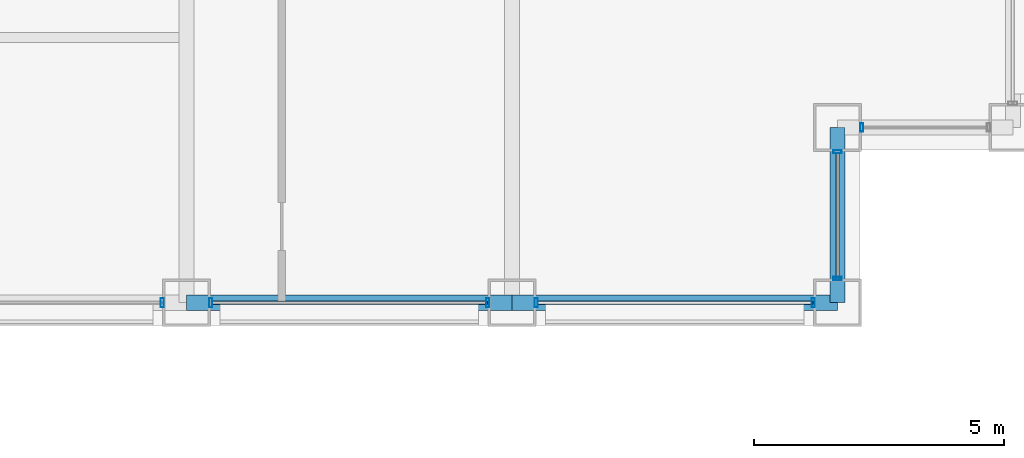
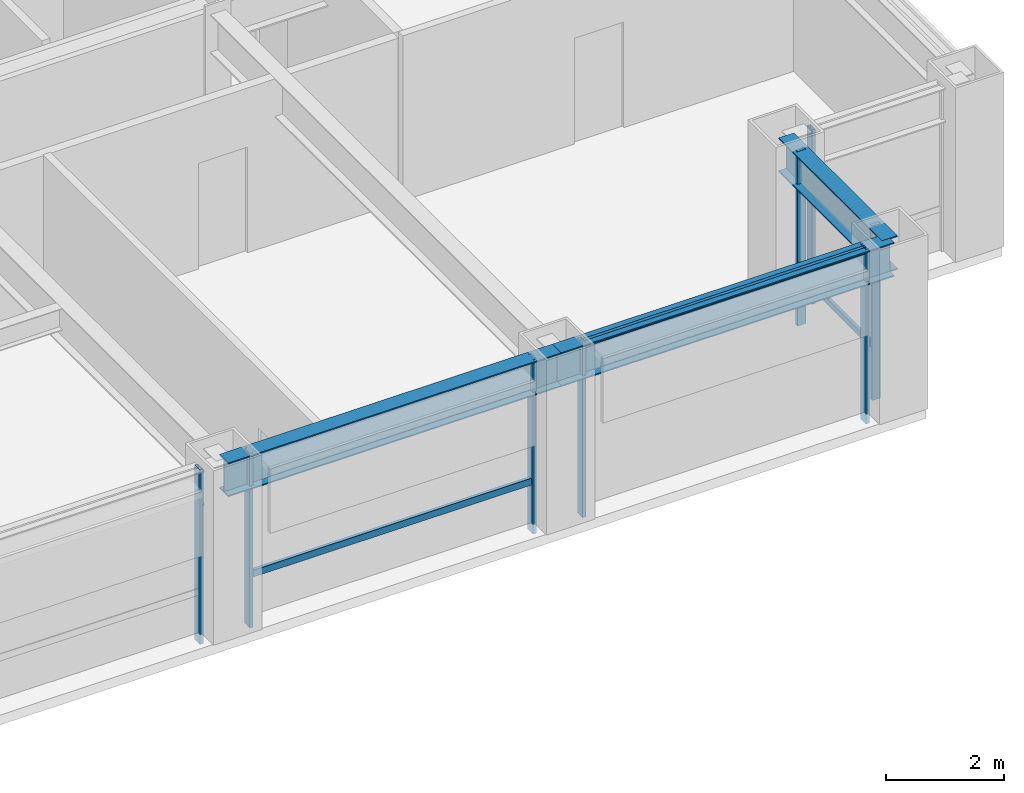
# One storey, part 10 of 31: 11 members, 3 beams, 5 elements without a shape of their own.
"""IFC4 building model written with IfcOpenShell, lengths in metres."""

from ifc_helpers import new_model, si_unit, direction, frame, origin, origin_2d, place, context, subcontext, project, spatial, hollow_rectangle, i_section, extrude, material, layer, layer_set, material_profile, profile_set, type_object, element, aggregate, save


model = new_model("IFC4")

# Units and contexts
model_context = context("Model", 3, precision=1e-05, world=origin(), true_north=direction((0.0, 1.0)))
body_context = subcontext(model_context, "Body", "Model", "MODEL_VIEW")
ifc_project = project(units=[si_unit("LENGTHUNIT", "METRE"), si_unit("AREAUNIT", "SQUARE_METRE"), si_unit("VOLUMEUNIT", "CUBIC_METRE"), si_unit("PLANEANGLEUNIT", "RADIAN"), si_unit("MASSUNIT", "GRAM", prefix="KILO")], contexts=[model_context])

# Site, building, storey
site_placement = place(None, origin())
site = spatial("IfcSite", under=ifc_project, at=site_placement, CompositionType="ELEMENT")
building_placement = place(site_placement, origin())
building = spatial("IfcBuilding", under=site, at=building_placement, Name="Brelmoor Portico Tower", CompositionType="ELEMENT")
storey_placement = place(building_placement, frame((0.0, 0.0, 27.60009765625)))
storey = spatial("IfcBuildingStorey", under=building, at=storey_placement, Name="L06", CompositionType="ELEMENT", Elevation=27.60009765625)

# Beams
ifc_material_1 = material(Name="Steel Q355B", Category="steel")
ifc_material_profile_1 = material_profile(ifc_material_1, i_section(OverallWidth=0.300048828125, OverallDepth=0.699951171875, WebThickness=0.012939453125, FlangeThickness=0.02392578125, at=origin_2d()), Name="HN 700x300x13x24")
ifc_profile_set_1 = profile_set([ifc_material_profile_1], Name="Steel Q355B")
beam_type = type_object("IfcBeamType", Name="BM-SP-700", PredefinedType="SPANDREL", material=ifc_profile_set_1)
for number, where, z_axis, x_axis, name in (
    (1, (8.050048828125, -21.550048828125, 3.0498046875), (1.0, 0.0, 0.0), (0.0, 1.0, 0.0), "L06 Perimeter Spandrel Beam SP-04"),
    (2, (14.550048828125, -21.550048828125, 3.0498046875), (1.0, 0.0, 0.0), (0.0, 1.0, 0.0), "L06 Perimeter Spandrel Beam SP-05"),
):
    element("IfcBeam", number, at=place(storey_placement, frame(where, z_axis=z_axis, x_axis=x_axis)), inside=storey, type_object=beam_type, Name=name, PredefinedType="SPANDREL", context=body_context, shape_type="SweptSolid", body=[
        extrude(i_section(OverallWidth=0.300048828125, OverallDepth=0.699951171875, WebThickness=0.012939453125, FlangeThickness=0.02392578125, at=origin_2d()), origin(), (0.0, 0.0, 1.0), 6.5),
    ])
beam_placement = place(storey_placement, frame((21.050048828125, -21.550048828125, 3.0498046875), z_axis=(0.0, 1.0, 0.0), x_axis=(-1.0, 0.0, 0.0)))
element("IfcBeam", 3, at=beam_placement, inside=storey, type_object=beam_type, Name="L06 Perimeter Spandrel Beam SP-20", PredefinedType="SPANDREL", context=body_context, shape_type="SweptSolid", body=[
    extrude(i_section(OverallWidth=0.300048828125, OverallDepth=0.699951171875, WebThickness=0.012939453125, FlangeThickness=0.02392578125, at=origin_2d()), origin(), (0.0, 0.0, 1.0), 3.5),
])

# Curtain wall, member
ifc_material_2 = material(Name="Anodised Aluminium Alloy 6063-T6", Category="aluminium")
ifc_layer_1 = layer(ifc_material_2, 0.179931640625)
ifc_layer_set_1 = layer_set([ifc_layer_1], Name="Anodised Aluminium Alloy 6063-T6")
curtain_wall_type_1 = type_object("IfcCurtainWallType", Name="CW-NOTCH-CHAMFER", PredefinedType="NOTDEFINED", material=ifc_layer_set_1)
curtain_wall_1_placement = place(storey_placement, origin())
curtain_wall_1 = element("IfcCurtainWall", 4, at=curtain_wall_1_placement, inside=storey, type_object=curtain_wall_type_1, Name="L06 Curtain Wall CWN-L06-SEH", PredefinedType="NOTDEFINED")
ifc_material_profile_2 = material_profile(ifc_material_2, hollow_rectangle(XDim=0.06494140625, YDim=0.1650390625, WallThickness=0.00390625, at=origin_2d()), Name="ALU MULLION 65x165")
ifc_profile_set_2 = profile_set([ifc_material_profile_2], Name="Anodised Aluminium Alloy 6063-T6")
member_type_1 = type_object("IfcMemberType", Name="MB-CW-MULL-165", PredefinedType="MULLION", material=ifc_profile_set_2)
member_1_placement = place(storey_placement, frame((21.534912109375, -18.050048828125, -0.2001953125), z_axis=(0.0, 0.0, 1.0), x_axis=(1.0, 0.0, 0.0)))
member_1 = element("IfcMember", 5, at=member_1_placement, type_object=member_type_1, Name="CWN-L06-SEH Mullion 00", PredefinedType="MULLION", context=body_context, shape_type="SweptSolid", body=[
    extrude(hollow_rectangle(XDim=0.06494140625, YDim=0.1650390625, WallThickness=0.00390625, at=origin_2d()), origin(), (0.0, 0.0, 1.0), 3.60009765625),
])
aggregate(curtain_wall_1, [member_1])

# Curtain wall, members
curtain_wall_2_placement = place(storey_placement, origin())
curtain_wall_2 = element("IfcCurtainWall", 6, at=curtain_wall_2_placement, inside=storey, type_object=curtain_wall_type_1, Name="L06 Curtain Wall CWN-L06-SEV", PredefinedType="NOTDEFINED")
member_2_placement = place(storey_placement, frame((21.050048828125, -21.06494140625, -0.2001953125), z_axis=(0.0, 0.0, 1.0), x_axis=(0.0, 1.0, 0.0)))
member_2 = element("IfcMember", 7, at=member_2_placement, type_object=member_type_1, Name="CWN-L06-SEV Mullion 00", PredefinedType="MULLION", context=body_context, shape_type="SweptSolid", body=[
    extrude(hollow_rectangle(XDim=0.06494140625, YDim=0.1650390625, WallThickness=0.00390625, at=origin_2d()), origin(), (0.0, 0.0, 1.0), 3.60009765625),
])
member_3_placement = place(storey_placement, frame((21.050048828125, -18.534912109375, -0.2001953125), z_axis=(0.0, 0.0, 1.0), x_axis=(0.0, 1.0, 0.0)))
member_3 = element("IfcMember", 8, at=member_3_placement, type_object=member_type_1, Name="CWN-L06-SEV Mullion 01", PredefinedType="MULLION", context=body_context, shape_type="SweptSolid", body=[
    extrude(hollow_rectangle(XDim=0.06494140625, YDim=0.1650390625, WallThickness=0.00390625, at=origin_2d()), origin(), (0.0, 0.0, 1.0), 3.60009765625),
])

# Curtain wall, member
ifc_layer_2 = layer(ifc_material_2, 0.179931640625)
ifc_layer_set_2 = layer_set([ifc_layer_2], Name="Anodised Aluminium Alloy 6063-T6")
curtain_wall_type_2 = type_object("IfcCurtainWallType", Name="CW-TOWER-Z1", PredefinedType="NOTDEFINED", material=ifc_layer_set_2)
curtain_wall_3_placement = place(storey_placement, origin())
curtain_wall_3 = element("IfcCurtainWall", 9, at=curtain_wall_3_placement, inside=storey, type_object=curtain_wall_type_2, Name="L06 Curtain Wall CW-L06-1R-1", PredefinedType="NOTDEFINED")
ifc_material_profile_3 = material_profile(ifc_material_2, hollow_rectangle(XDim=0.06494140625, YDim=0.179931640625, WallThickness=0.00390625, at=origin_2d()), Name="ALU MULLION 65x180")
ifc_profile_set_3 = profile_set([ifc_material_profile_3], Name="Anodised Aluminium Alloy 6063-T6")
member_type_2 = type_object("IfcMemberType", Name="MB-CW-MULL-180", PredefinedType="MULLION", material=ifc_profile_set_3)
member_4_placement = place(storey_placement, frame((7.56494140625, -21.550048828125, -0.2001953125), z_axis=(0.0, 0.0, 1.0), x_axis=(1.0, 0.0, 0.0)))
member_4 = element("IfcMember", 10, at=member_4_placement, type_object=member_type_2, Name="CW-L06-1R-1 Mullion 01", PredefinedType="MULLION", context=body_context, shape_type="SweptSolid", body=[
    extrude(hollow_rectangle(XDim=0.06494140625, YDim=0.179931640625, WallThickness=0.00390625, at=origin_2d()), origin(), (0.0, 0.0, 1.0), 3.60009765625),
])
aggregate(curtain_wall_3, [member_4])

# Curtain wall, members
curtain_wall_4_placement = place(storey_placement, origin())
curtain_wall_4 = element("IfcCurtainWall", 11, at=curtain_wall_4_placement, inside=storey, type_object=curtain_wall_type_2, Name="L06 Curtain Wall CW-L06-1R-2", PredefinedType="NOTDEFINED")
member_5_placement = place(storey_placement, frame((8.534912109375, -21.550048828125, -0.2001953125), z_axis=(0.0, 0.0, 1.0), x_axis=(1.0, 0.0, 0.0)))
member_5 = element("IfcMember", 12, at=member_5_placement, type_object=member_type_2, Name="CW-L06-1R-2 Mullion 00", PredefinedType="MULLION", context=body_context, shape_type="SweptSolid", body=[
    extrude(hollow_rectangle(XDim=0.06494140625, YDim=0.179931640625, WallThickness=0.00390625, at=origin_2d()), origin(), (0.0, 0.0, 1.0), 3.60009765625),
])
member_6_placement = place(storey_placement, frame((14.06494140625, -21.550048828125, -0.2001953125), z_axis=(0.0, 0.0, 1.0), x_axis=(1.0, 0.0, 0.0)))
member_6 = element("IfcMember", 13, at=member_6_placement, type_object=member_type_2, Name="CW-L06-1R-2 Mullion 01", PredefinedType="MULLION", context=body_context, shape_type="SweptSolid", body=[
    extrude(hollow_rectangle(XDim=0.06494140625, YDim=0.179931640625, WallThickness=0.00390625, at=origin_2d()), origin(), (0.0, 0.0, 1.0), 3.60009765625),
])

ifc_layer_3 = layer(ifc_material_2, 0.179931640625)
ifc_layer_set_3 = layer_set([ifc_layer_3], Name="Anodised Aluminium Alloy 6063-T6")
curtain_wall_type_3 = type_object("IfcCurtainWallType", Name="CW-TOWER-Z1-XB", PredefinedType="NOTDEFINED", material=ifc_layer_set_3)
curtain_wall_5_placement = place(storey_placement, origin())
curtain_wall_5 = element("IfcCurtainWall", 14, at=curtain_wall_5_placement, inside=storey, type_object=curtain_wall_type_3, Name="L06 Curtain Wall CW-L06-1R-3", PredefinedType="NOTDEFINED")
member_7_placement = place(storey_placement, frame((15.034912109375, -21.550048828125, -0.2001953125), z_axis=(0.0, 0.0, 1.0), x_axis=(1.0, 0.0, 0.0)))
member_7 = element("IfcMember", 15, at=member_7_placement, type_object=member_type_2, Name="CW-L06-1R-3 Mullion 00", PredefinedType="MULLION", context=body_context, shape_type="SweptSolid", body=[
    extrude(hollow_rectangle(XDim=0.06494140625, YDim=0.179931640625, WallThickness=0.00390625, at=origin_2d()), origin(), (0.0, 0.0, 1.0), 3.60009765625),
])
member_8_placement = place(storey_placement, frame((20.56494140625, -21.550048828125, -0.2001953125), z_axis=(0.0, 0.0, 1.0), x_axis=(1.0, 0.0, 0.0)))
member_8 = element("IfcMember", 16, at=member_8_placement, type_object=member_type_2, Name="CW-L06-1R-3 Mullion 01", PredefinedType="MULLION", context=body_context, shape_type="SweptSolid", body=[
    extrude(hollow_rectangle(XDim=0.06494140625, YDim=0.179931640625, WallThickness=0.00390625, at=origin_2d()), origin(), (0.0, 0.0, 1.0), 3.60009765625),
])

# Member
ifc_material_profile_4 = material_profile(ifc_material_2, hollow_rectangle(XDim=0.06005859375, YDim=0.125, WallThickness=0.00341796875, at=origin_2d()), Name="ALU TRANSOM 60x125")
ifc_profile_set_4 = profile_set([ifc_material_profile_4], Name="Anodised Aluminium Alloy 6063-T6")
member_type_3 = type_object("IfcMemberType", Name="MB-CW-TRAN-125", PredefinedType="USERDEFINED", material=ifc_profile_set_4)
member_9_placement = place(storey_placement, frame((21.050048828125, -21.06494140625, 0.849853515625), z_axis=(0.0, 1.0, 0.0), x_axis=(-1.0, 0.0, 0.0)))
member_9 = element("IfcMember", 17, at=member_9_placement, type_object=member_type_3, Name="CWN-L06-SEV Transom 1-00", ObjectType="TRANSOM", PredefinedType="USERDEFINED", context=body_context, shape_type="SweptSolid", body=[
    extrude(hollow_rectangle(XDim=0.06005859375, YDim=0.125, WallThickness=0.00341796875, at=origin_2d()), origin(), (0.0, 0.0, 1.0), 2.530029296875),
])

aggregate(curtain_wall_2, [member_2, member_3, member_9])

ifc_material_profile_5 = material_profile(ifc_material_2, hollow_rectangle(XDim=0.06494140625, YDim=0.139892578125, WallThickness=0.00390625, at=origin_2d()), Name="ALU TRANSOM 65x140")
ifc_profile_set_5 = profile_set([ifc_material_profile_5], Name="Anodised Aluminium Alloy 6063-T6")
member_type_4 = type_object("IfcMemberType", Name="MB-CW-TRAN-140", PredefinedType="USERDEFINED", material=ifc_profile_set_5)
member_10_placement = place(storey_placement, frame((8.534912109375, -21.550048828125, 0.849853515625), z_axis=(1.0, 0.0, 0.0), x_axis=(0.0, 1.0, 0.0)))
member_10 = element("IfcMember", 18, at=member_10_placement, type_object=member_type_4, Name="CW-L06-1R-2 Transom 1-00", ObjectType="TRANSOM", PredefinedType="USERDEFINED", context=body_context, shape_type="SweptSolid", body=[
    extrude(hollow_rectangle(XDim=0.06494140625, YDim=0.139892578125, WallThickness=0.00390625, at=origin_2d()), origin(), (0.0, 0.0, 1.0), 5.530029296875),
])

aggregate(curtain_wall_4, [member_5, member_6, member_10])

member_11_placement = place(storey_placement, frame((15.034912109375, -21.550048828125, 3.329833984375), z_axis=(1.0, 0.0, 0.0), x_axis=(0.0, 1.0, 0.0)))
member_11 = element("IfcMember", 19, at=member_11_placement, type_object=member_type_4, Name="CW-L06-1R-3 Transom 1-00", ObjectType="TRANSOM", PredefinedType="USERDEFINED", context=body_context, shape_type="SweptSolid", body=[
    extrude(hollow_rectangle(XDim=0.06494140625, YDim=0.139892578125, WallThickness=0.00390625, at=origin_2d()), origin(), (0.0, 0.0, 1.0), 5.530029296875),
])

aggregate(curtain_wall_5, [member_7, member_8, member_11])

save(model, "model.ifc")
